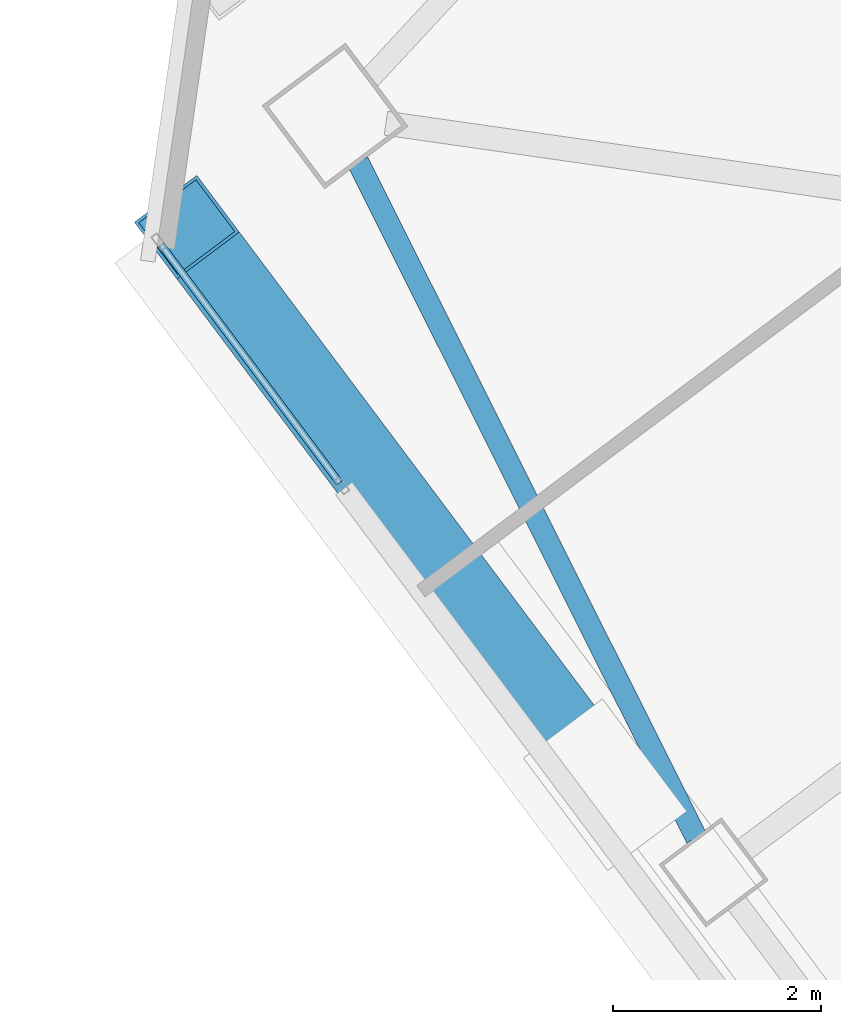
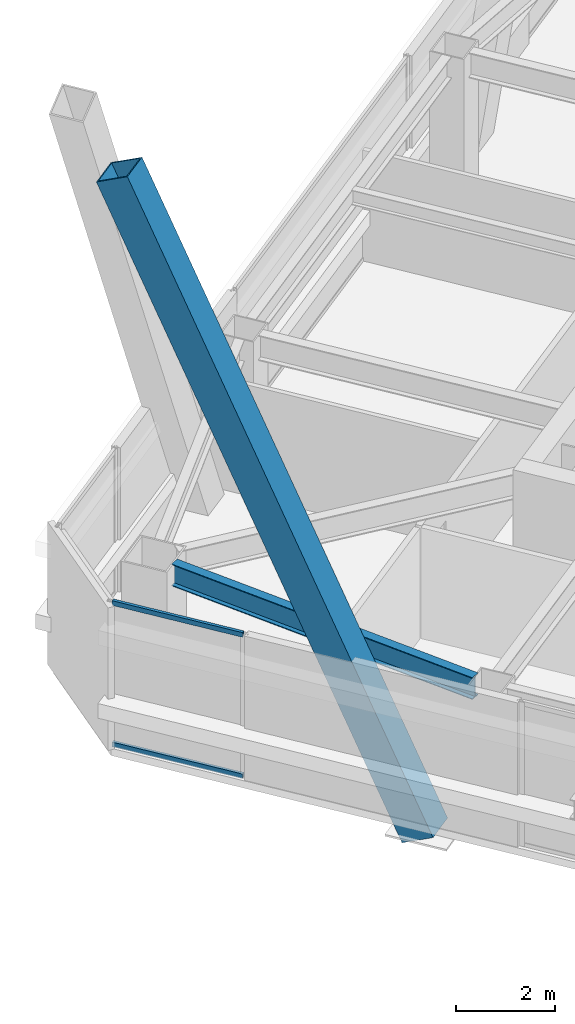
# One storey, part 31 of 56: 3 members, 1 beam, 1 element without a shape of its own.
"""IFC4 building model written with IfcOpenShell, lengths in metres."""

import ifcopenshell
import ifcopenshell.guid

model = None  # the IFC model being written
_history = None  # IfcOwnerHistory: only IFC2X3 demands one
_inside = {}  # id of a spatial element -> (the spatial element, [elements in it])
_under = {}  # id of a project, library or spatial element -> (it, [spatial elements below it])
_declared = {}  # id of a project -> (the project, [libraries it declares])
_typed = {}  # id of a type object -> (the type object, [elements of that type])
_made_of = {}  # id of a material, layer set ... -> (it, [elements and type objects made of it])


def new_model(schema):
    """Start an empty IFC model of exactly this schema.

    Asked for "IFC4X3", IfcOpenShell would pick the latest addendum, in which some entities
    have other attributes; the version numbers below select the first issue.
    IFC2X3 requires an IfcOwnerHistory on every rooted entity: one is made here for all.
    """
    global model, _history
    if schema == "IFC4X3":
        model = ifcopenshell.file(schema_version=(4, 3, 0, 0))
    else:
        model = ifcopenshell.file(schema=schema)
    _inside.clear()
    _under.clear()
    _declared.clear()
    _typed.clear()
    _made_of.clear()
    _history = None
    if model.schema == "IFC2X3":
        org = make("IfcOrganization", Name="unknown")
        user = make(
            "IfcPersonAndOrganization",
            ThePerson=make("IfcPerson", FamilyName="unknown"),
            TheOrganization=org,
        )
        app = make(
            "IfcApplication",
            ApplicationDeveloper=org,
            Version="unknown",
            ApplicationFullName="unknown",
            ApplicationIdentifier="unknown",
        )
        _history = make(
            "IfcOwnerHistory",
            OwningUser=user,
            OwningApplication=app,
            ChangeAction="ADDED",
            CreationDate=0,
        )
    return model


def make(cls, **values):
    """One entity of the class cls with the attributes given. An attribute that is None is left unset."""
    return model.create_entity(
        cls, **{name: value for name, value in values.items() if value is not None}
    )


def rooted(cls, **values):
    """An entity with a GlobalId (a new one), such as an element, a storey or a relation."""
    return make(cls, GlobalId=ifcopenshell.guid.new(), OwnerHistory=_history, **values)


def si_unit(unit_type, name, prefix=None):
    """IfcSIUnit, for example si_unit("LENGTHUNIT", "METRE", prefix="MILLI")."""
    return make("IfcSIUnit", UnitType=unit_type, Prefix=prefix, Name=name)


def assignment(units):
    """IfcUnitAssignment: the units of a project."""
    return None if units is None else make("IfcUnitAssignment", Units=units)


def point(xyz):
    """IfcCartesianPoint."""
    return None if xyz is None else make("IfcCartesianPoint", Coordinates=xyz)


def direction(xyz):
    """IfcDirection."""
    return None if xyz is None else make("IfcDirection", DirectionRatios=xyz)


def frame(location, z_axis=None, x_axis=None):
    """IfcAxis2Placement3D, a coordinate frame: its origin and axes. An axis left out is left unset."""
    return make(
        "IfcAxis2Placement3D",
        Location=point(location),
        Axis=direction(z_axis),
        RefDirection=direction(x_axis),
    )


def frame_2d(location, x_axis=None):
    """IfcAxis2Placement2D, a coordinate frame in the plane: its origin and x axis."""
    return make(
        "IfcAxis2Placement2D", Location=point(location), RefDirection=direction(x_axis)
    )


def origin():
    """The frame at (0, 0, 0) with its axes left unset."""
    return frame((0.0, 0.0, 0.0))


def origin_2d():
    """The frame at (0, 0) in the plane with its x axis left unset."""
    return frame_2d((0.0, 0.0))


def place(relative_to, where):
    """IfcLocalPlacement: puts the frame where relative to a parent placement (None: the world)."""
    return make(
        "IfcLocalPlacement", PlacementRelTo=relative_to, RelativePlacement=where
    )


def context(
    kind, dimensions, precision=None, world=None, true_north=None, identifier=None
):
    """IfcGeometricRepresentationContext, for example the 3D "Model" context."""
    return make(
        "IfcGeometricRepresentationContext",
        ContextIdentifier=identifier,
        ContextType=kind,
        CoordinateSpaceDimension=dimensions,
        Precision=precision,
        WorldCoordinateSystem=world,
        TrueNorth=true_north,
    )


def subcontext(parent, identifier, kind, view, scale=None):
    """IfcGeometricRepresentationSubContext, for example "Body" below "Model"."""
    return make(
        "IfcGeometricRepresentationSubContext",
        ContextIdentifier=identifier,
        ContextType=kind,
        ParentContext=parent,
        TargetScale=scale,
        TargetView=view,
    )


def project(units=None, contexts=None):
    """IfcProject with its units and contexts."""
    return rooted(
        "IfcProject",
        Name="project",
        RepresentationContexts=contexts,
        UnitsInContext=assignment(units),
    )


def spatial(cls, under=None, at=None, **own):
    """A site, building, storey or space (cls), placed at a placement, below another one or the project."""
    s = rooted(cls, ObjectPlacement=at, **own)
    if under is not None:
        _under.setdefault(under.id(), (under, []))[1].append(s)
    return s


def profile(cls, at=None, kind="AREA", **sizes):
    """A parametric profile (cls). Its sizes go by their IFC names, for example OverallWidth=200.0."""
    return make(cls, ProfileType=kind, Position=at, **sizes)


def hollow_rectangle(**sizes):
    """IfcRectangleHollowProfileDef."""
    return profile("IfcRectangleHollowProfileDef", **sizes)


def i_section(**sizes):
    """IfcIShapeProfileDef."""
    return profile("IfcIShapeProfileDef", **sizes)


def extrude(swept, where, along, depth):
    """IfcExtrudedAreaSolid: the profile swept, set in the frame where, extruded along a direction by depth."""
    return make(
        "IfcExtrudedAreaSolid",
        SweptArea=swept,
        Position=where,
        ExtrudedDirection=direction(along),
        Depth=depth,
    )


def shape(context_of_items, identifier, shape_type, items):
    """IfcShapeRepresentation: the items that make up one representation, for example the "Body"."""
    return make(
        "IfcShapeRepresentation",
        ContextOfItems=context_of_items,
        RepresentationIdentifier=identifier,
        RepresentationType=shape_type,
        Items=items,
    )


def material(Name=None, Category=None):
    """IfcMaterial."""
    return make("IfcMaterial", Name=Name, Category=Category)


def material_profile(
    of_material, cross_section, Name=None, Category=None, Priority=None
):
    """IfcMaterialProfile: a cross section and its material."""
    return make(
        "IfcMaterialProfile",
        Name=Name,
        Material=of_material,
        Profile=cross_section,
        Priority=Priority,
        Category=Category,
    )


def profile_set(profiles, Name=None, composite=None):
    """IfcMaterialProfileSet."""
    return make(
        "IfcMaterialProfileSet",
        Name=Name,
        MaterialProfiles=profiles,
        CompositeProfile=composite,
    )


def made_of(thing, what):
    """Note that an element or type object is made of a material, layer set ...; save() writes the relation."""
    if what is not None:
        _made_of.setdefault(what.id(), (what, []))[1].append(thing)
    return thing


def type_object(cls, material=None, **own):
    """A type object (cls), such as IfcWallType, which elements share."""
    return made_of(rooted(cls, **own), material)


def element(
    cls,
    number,
    at=None,
    inside=None,
    cuts=None,
    type_object=None,
    material=None,
    context=None,
    identifier="Body",
    shape_type=None,
    held_by="IfcProductDefinitionShape",
    body=None,
    shapes=None,
    **own,
):
    """One element of the class cls, such as IfcWall. Its Tag is "e" and its number.

    at: its placement. inside: the storey or other place that contains it. cuts: it is an
    opening in that element (IfcRelVoidsElement). A single representation is given by context,
    identifier, shape_type and body (its items); several are given by shapes. held_by: the class
    of the entity that holds the representations. save() writes the other relations.
    """
    e = rooted(cls, Tag="e%d" % number, ObjectPlacement=at, **own)
    if body is not None:
        shapes = [shape(context, identifier, shape_type, body)]
    if shapes is not None:
        e.Representation = make(held_by, Representations=shapes)
    if inside is not None:
        _inside.setdefault(inside.id(), (inside, []))[1].append(e)
    if cuts is not None:
        rooted(
            "IfcRelVoidsElement", RelatingBuildingElement=cuts, RelatedOpeningElement=e
        )
    if type_object is not None:
        _typed.setdefault(type_object.id(), (type_object, []))[1].append(e)
    return made_of(e, material)


def aggregate(whole, parts):
    """IfcRelAggregates: a whole, such as a stair, and the parts it consists of."""
    return rooted("IfcRelAggregates", RelatingObject=whole, RelatedObjects=parts)


def save(model, path):
    """Write the relations noted so far, then the file.

    IfcRelAggregates (storeys below a building ...), IfcRelContainedInSpatialStructure (elements
    in a storey), IfcRelDefinesByType, IfcRelAssociatesMaterial and IfcRelDeclares: one each for
    every whole, place, type object, material and project.
    """
    for whole, parts in _under.values():
        aggregate(whole, parts)
    for where, things in _inside.values():
        rooted(
            "IfcRelContainedInSpatialStructure",
            RelatedElements=things,
            RelatingStructure=where,
        )
    for kind, things in _typed.values():
        rooted("IfcRelDefinesByType", RelatedObjects=things, RelatingType=kind)
    for what, things in _made_of.values():
        rooted("IfcRelAssociatesMaterial", RelatedObjects=things, RelatingMaterial=what)
    for by, libraries in _declared.values():
        rooted("IfcRelDeclares", RelatingContext=by, RelatedDefinitions=libraries)
    model.write(path)


model = new_model("IFC4")

# Units and contexts
model_context = context("Model", 3, precision=1e-05, world=origin(), true_north=direction((0.0, 1.0)))
body_context = subcontext(model_context, "Body", "Model", "MODEL_VIEW")
ifc_project = project(units=[si_unit("LENGTHUNIT", "METRE"), si_unit("AREAUNIT", "SQUARE_METRE"), si_unit("VOLUMEUNIT", "CUBIC_METRE"), si_unit("PLANEANGLEUNIT", "RADIAN"), si_unit("MASSUNIT", "GRAM", prefix="KILO")], contexts=[model_context])

# Site, building, storey
site_placement = place(None, origin())
site = spatial("IfcSite", under=ifc_project, at=site_placement, CompositionType="ELEMENT")
building_placement = place(site_placement, origin())
building = spatial("IfcBuilding", under=site, at=building_placement, Name="Tashvorn Skyway Center", CompositionType="ELEMENT")
storey_placement = place(building_placement, frame((0.0, 0.0, 218.39990234375)))
storey = spatial("IfcBuildingStorey", under=building, at=storey_placement, Name="L59", CompositionType="ELEMENT", Elevation=218.39990234375)

# Beam
ifc_material_1 = material(Name="Steel ASTM A992 Grade 50", Category="steel")
ifc_material_profile_1 = material_profile(ifc_material_1, i_section(OverallWidth=0.2109375, OverallDepth=0.5390625, WebThickness=0.01171875, FlangeThickness=0.018798828125, at=origin_2d()), Name="W21X73")
ifc_profile_set_1 = profile_set([ifc_material_profile_1], Name="Steel ASTM A992 Grade 50")
beam_type = type_object("IfcBeamType", Name="BM-SPANDREL-W21X73", PredefinedType="SPANDREL", material=ifc_profile_set_1)
beam_placement = place(storey_placement, frame((95.461669921875, 34.2373046875, 3.1005859375), z_axis=(0.447710870872, -0.894178380472, 0.0), x_axis=(0.894178380472, 0.447710870872, 0.0)))
element("IfcBeam", 1, at=beam_placement, inside=storey, type_object=beam_type, Name="Tower 2 L59 Spandrel Beam 10", PredefinedType="SPANDREL", context=body_context, shape_type="SweptSolid", body=[
    extrude(i_section(OverallWidth=0.2109375, OverallDepth=0.5390625, WebThickness=0.01171875, FlangeThickness=0.018798828125, at=origin_2d()), origin(), (0.0, 0.0, 1.0), 7.26513671875),
])

# Curtain wall, members
ifc_material_2 = material(Name="Thermally broken bronze-anodized aluminium 6063-T6", Category="aluminium")
curtain_wall_type = type_object("IfcCurtainWallType", Name="CW-CW-Z5", PredefinedType="NOTDEFINED", material=ifc_material_2)
curtain_wall_placement = place(storey_placement, origin())
curtain_wall = element("IfcCurtainWall", 2, at=curtain_wall_placement, inside=storey, type_object=curtain_wall_type, Name="Tower 2 L59 West Unitised Curtain Wall Glazing Group 3", PredefinedType="NOTDEFINED")
ifc_material_profile_2 = material_profile(ifc_material_2, hollow_rectangle(XDim=0.070068359375, YDim=0.114990234375, WallThickness=0.00390625, at=origin_2d()), Name="ALU-TRAN-70x115")
ifc_profile_set_2 = profile_set([ifc_material_profile_2], Name="Thermally broken bronze-anodized aluminium 6063-T6")
member_type_1 = type_object("IfcMemberType", Name="CWT-CW-Z5", PredefinedType="USERDEFINED", material=ifc_profile_set_2)
member_1_placement = place(storey_placement, frame((95.283203125, 31.155517578125, 0.03515625), z_axis=(-0.599958958837, 0.800030779227, 0.0), x_axis=(-0.800030779227, -0.599958958837, 0.0)))
member_1 = element("IfcMember", 3, at=member_1_placement, type_object=member_type_1, Name="CW-Z5 transom 1.1", ObjectType="TRANSOM", PredefinedType="USERDEFINED", context=body_context, shape_type="SweptSolid", body=[
    extrude(hollow_rectangle(XDim=0.070068359375, YDim=0.114990234375, WallThickness=0.00390625, at=origin_2d()), origin(), (0.0, 0.0, 1.0), 2.85546875),
])
member_2_placement = place(storey_placement, frame((95.283203125, 31.155517578125, 3.51513671875), z_axis=(-0.599958958837, 0.800030779227, 0.0), x_axis=(-0.800030779227, -0.599958958837, 0.0)))
member_2 = element("IfcMember", 4, at=member_2_placement, type_object=member_type_1, Name="CW-Z5 transom 1.2", ObjectType="TRANSOM", PredefinedType="USERDEFINED", context=body_context, shape_type="SweptSolid", body=[
    extrude(hollow_rectangle(XDim=0.070068359375, YDim=0.114990234375, WallThickness=0.00390625, at=origin_2d()), origin(), (0.0, 0.0, 1.0), 2.85546875),
])
aggregate(curtain_wall, [member_1, member_2])

# Member
ifc_material_3 = material(Name="Steel ASTM A572 Grade 50", Category="steel")
ifc_material_profile_3 = material_profile(ifc_material_3, hollow_rectangle(XDim=0.75, YDim=0.75, WallThickness=0.031982421875, at=origin_2d()), Name="BOX750x750x32")
ifc_profile_set_3 = profile_set([ifc_material_profile_3], Name="Steel ASTM A572 Grade 50")
member_type_2 = type_object("IfcMemberType", Name="MEM-MB-750", PredefinedType="BRACE", material=ifc_profile_set_3)
member_3_placement = place(storey_placement, frame((97.8359375, 28.251953125, -0.449951171875), z_axis=(-0.252820168596, 0.337098676152, 0.906888330991), x_axis=(-0.800004372583, -0.599994169845, 0.0)))
element("IfcMember", 5, at=member_3_placement, inside=storey, type_object=member_type_2, Name="Tower 2 Zone 5 W Chevron Mega-Brace L2", PredefinedType="BRACE", context=body_context, shape_type="SweptSolid", body=[
    extrude(hollow_rectangle(XDim=0.75, YDim=0.75, WallThickness=0.031982421875, at=origin_2d()), origin(), (0.0, 0.0, 1.0), 15.900634765625),
])

save(model, "model.ifc")
